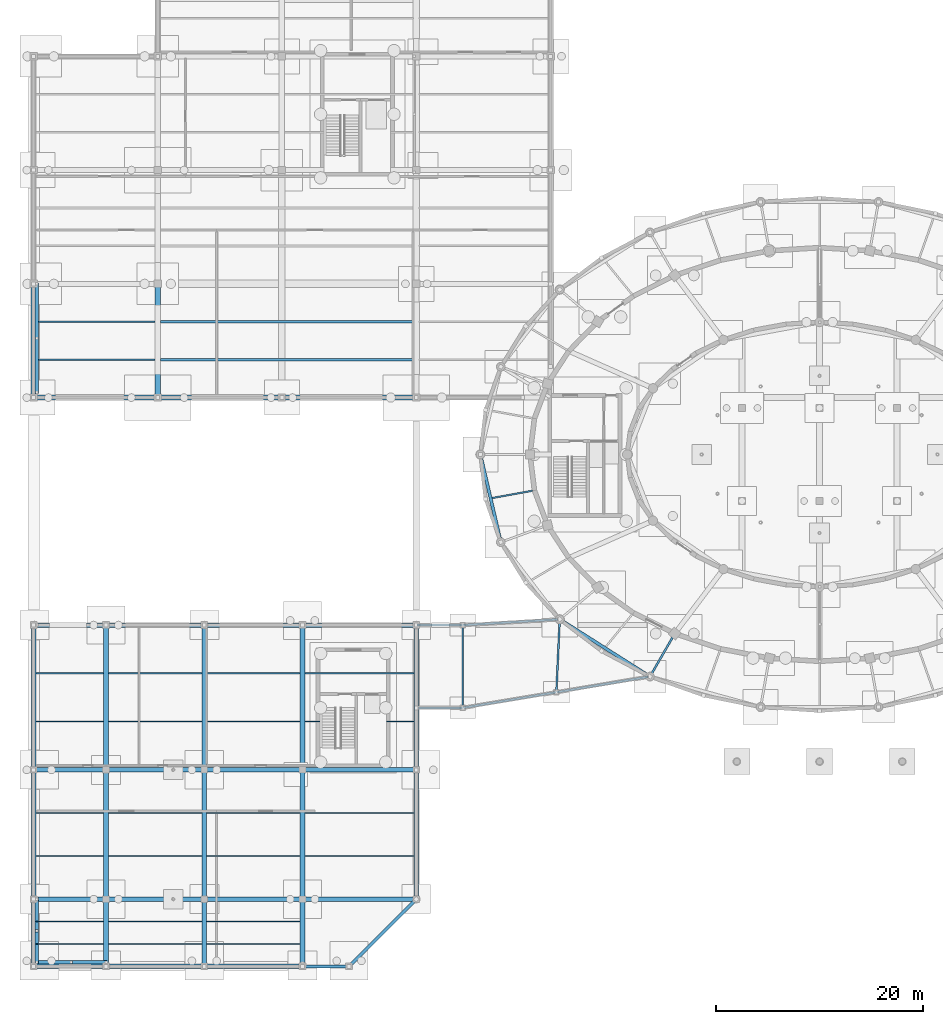
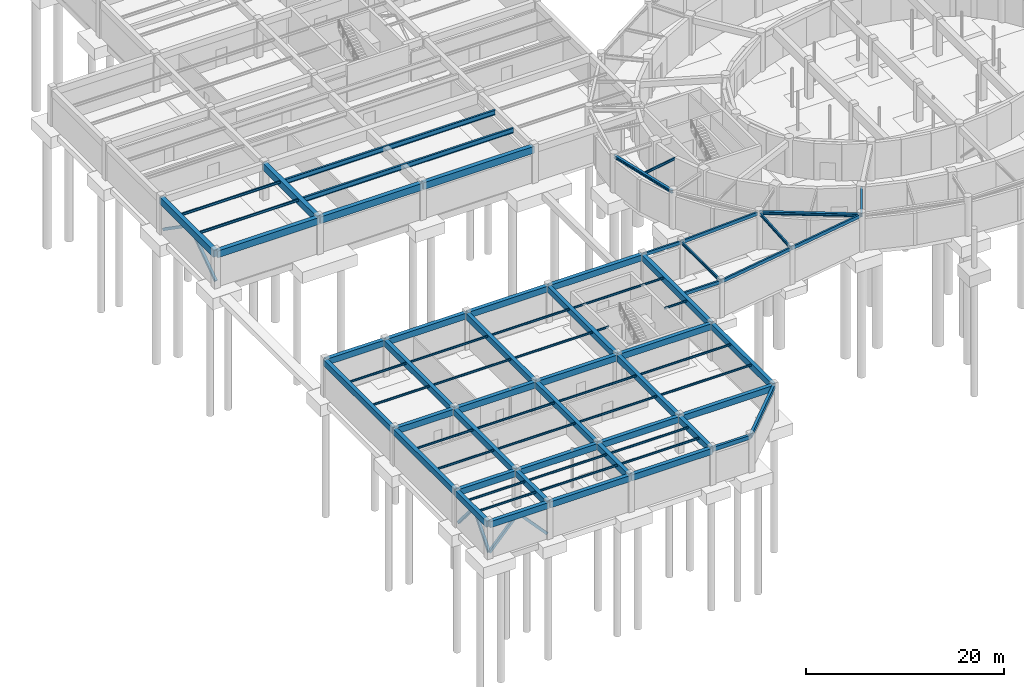
# One storey, part 12 of 42: 74 beams, 6 members.
"""IFC4 building model written with IfcOpenShell, lengths in metres."""

import ifcopenshell
import ifcopenshell.guid

model = None  # the IFC model being written
_history = None  # IfcOwnerHistory: only IFC2X3 demands one
_inside = {}  # id of a spatial element -> (the spatial element, [elements in it])
_under = {}  # id of a project, library or spatial element -> (it, [spatial elements below it])
_declared = {}  # id of a project -> (the project, [libraries it declares])
_typed = {}  # id of a type object -> (the type object, [elements of that type])
_made_of = {}  # id of a material, layer set ... -> (it, [elements and type objects made of it])


def new_model(schema):
    """Start an empty IFC model of exactly this schema.

    Asked for "IFC4X3", IfcOpenShell would pick the latest addendum, in which some entities
    have other attributes; the version numbers below select the first issue.
    IFC2X3 requires an IfcOwnerHistory on every rooted entity: one is made here for all.
    """
    global model, _history
    if schema == "IFC4X3":
        model = ifcopenshell.file(schema_version=(4, 3, 0, 0))
    else:
        model = ifcopenshell.file(schema=schema)
    _inside.clear()
    _under.clear()
    _declared.clear()
    _typed.clear()
    _made_of.clear()
    _history = None
    if model.schema == "IFC2X3":
        org = make("IfcOrganization", Name="unknown")
        user = make(
            "IfcPersonAndOrganization",
            ThePerson=make("IfcPerson", FamilyName="unknown"),
            TheOrganization=org,
        )
        app = make(
            "IfcApplication",
            ApplicationDeveloper=org,
            Version="unknown",
            ApplicationFullName="unknown",
            ApplicationIdentifier="unknown",
        )
        _history = make(
            "IfcOwnerHistory",
            OwningUser=user,
            OwningApplication=app,
            ChangeAction="ADDED",
            CreationDate=0,
        )
    return model


def make(cls, **values):
    """One entity of the class cls with the attributes given. An attribute that is None is left unset."""
    return model.create_entity(
        cls, **{name: value for name, value in values.items() if value is not None}
    )


def rooted(cls, **values):
    """An entity with a GlobalId (a new one), such as an element, a storey or a relation."""
    return make(cls, GlobalId=ifcopenshell.guid.new(), OwnerHistory=_history, **values)


def si_unit(unit_type, name, prefix=None):
    """IfcSIUnit, for example si_unit("LENGTHUNIT", "METRE", prefix="MILLI")."""
    return make("IfcSIUnit", UnitType=unit_type, Prefix=prefix, Name=name)


def assignment(units):
    """IfcUnitAssignment: the units of a project."""
    return None if units is None else make("IfcUnitAssignment", Units=units)


def point(xyz):
    """IfcCartesianPoint."""
    return None if xyz is None else make("IfcCartesianPoint", Coordinates=xyz)


def direction(xyz):
    """IfcDirection."""
    return None if xyz is None else make("IfcDirection", DirectionRatios=xyz)


def frame(location, z_axis=None, x_axis=None):
    """IfcAxis2Placement3D, a coordinate frame: its origin and axes. An axis left out is left unset."""
    return make(
        "IfcAxis2Placement3D",
        Location=point(location),
        Axis=direction(z_axis),
        RefDirection=direction(x_axis),
    )


def frame_2d(location, x_axis=None):
    """IfcAxis2Placement2D, a coordinate frame in the plane: its origin and x axis."""
    return make(
        "IfcAxis2Placement2D", Location=point(location), RefDirection=direction(x_axis)
    )


def origin():
    """The frame at (0, 0, 0) with its axes left unset."""
    return frame((0.0, 0.0, 0.0))


def origin_2d():
    """The frame at (0, 0) in the plane with its x axis left unset."""
    return frame_2d((0.0, 0.0))


def place(relative_to, where):
    """IfcLocalPlacement: puts the frame where relative to a parent placement (None: the world)."""
    return make(
        "IfcLocalPlacement", PlacementRelTo=relative_to, RelativePlacement=where
    )


def context(
    kind, dimensions, precision=None, world=None, true_north=None, identifier=None
):
    """IfcGeometricRepresentationContext, for example the 3D "Model" context."""
    return make(
        "IfcGeometricRepresentationContext",
        ContextIdentifier=identifier,
        ContextType=kind,
        CoordinateSpaceDimension=dimensions,
        Precision=precision,
        WorldCoordinateSystem=world,
        TrueNorth=true_north,
    )


def subcontext(parent, identifier, kind, view, scale=None):
    """IfcGeometricRepresentationSubContext, for example "Body" below "Model"."""
    return make(
        "IfcGeometricRepresentationSubContext",
        ContextIdentifier=identifier,
        ContextType=kind,
        ParentContext=parent,
        TargetScale=scale,
        TargetView=view,
    )


def project(units=None, contexts=None):
    """IfcProject with its units and contexts."""
    return rooted(
        "IfcProject",
        Name="project",
        RepresentationContexts=contexts,
        UnitsInContext=assignment(units),
    )


def spatial(cls, under=None, at=None, **own):
    """A site, building, storey or space (cls), placed at a placement, below another one or the project."""
    s = rooted(cls, ObjectPlacement=at, **own)
    if under is not None:
        _under.setdefault(under.id(), (under, []))[1].append(s)
    return s


def profile(cls, at=None, kind="AREA", **sizes):
    """A parametric profile (cls). Its sizes go by their IFC names, for example OverallWidth=200.0."""
    return make(cls, ProfileType=kind, Position=at, **sizes)


def rectangle(**sizes):
    """IfcRectangleProfileDef."""
    return profile("IfcRectangleProfileDef", **sizes)


def hollow_rectangle(**sizes):
    """IfcRectangleHollowProfileDef."""
    return profile("IfcRectangleHollowProfileDef", **sizes)


def i_section(**sizes):
    """IfcIShapeProfileDef."""
    return profile("IfcIShapeProfileDef", **sizes)


def extrude(swept, where, along, depth):
    """IfcExtrudedAreaSolid: the profile swept, set in the frame where, extruded along a direction by depth."""
    return make(
        "IfcExtrudedAreaSolid",
        SweptArea=swept,
        Position=where,
        ExtrudedDirection=direction(along),
        Depth=depth,
    )


def shape(context_of_items, identifier, shape_type, items):
    """IfcShapeRepresentation: the items that make up one representation, for example the "Body"."""
    return make(
        "IfcShapeRepresentation",
        ContextOfItems=context_of_items,
        RepresentationIdentifier=identifier,
        RepresentationType=shape_type,
        Items=items,
    )


def material(Name=None, Category=None):
    """IfcMaterial."""
    return make("IfcMaterial", Name=Name, Category=Category)


def material_profile(
    of_material, cross_section, Name=None, Category=None, Priority=None
):
    """IfcMaterialProfile: a cross section and its material."""
    return make(
        "IfcMaterialProfile",
        Name=Name,
        Material=of_material,
        Profile=cross_section,
        Priority=Priority,
        Category=Category,
    )


def profile_set(profiles, Name=None, composite=None):
    """IfcMaterialProfileSet."""
    return make(
        "IfcMaterialProfileSet",
        Name=Name,
        MaterialProfiles=profiles,
        CompositeProfile=composite,
    )


def made_of(thing, what):
    """Note that an element or type object is made of a material, layer set ...; save() writes the relation."""
    if what is not None:
        _made_of.setdefault(what.id(), (what, []))[1].append(thing)
    return thing


def type_object(cls, material=None, **own):
    """A type object (cls), such as IfcWallType, which elements share."""
    return made_of(rooted(cls, **own), material)


def element(
    cls,
    number,
    at=None,
    inside=None,
    cuts=None,
    type_object=None,
    material=None,
    context=None,
    identifier="Body",
    shape_type=None,
    held_by="IfcProductDefinitionShape",
    body=None,
    shapes=None,
    **own,
):
    """One element of the class cls, such as IfcWall. Its Tag is "e" and its number.

    at: its placement. inside: the storey or other place that contains it. cuts: it is an
    opening in that element (IfcRelVoidsElement). A single representation is given by context,
    identifier, shape_type and body (its items); several are given by shapes. held_by: the class
    of the entity that holds the representations. save() writes the other relations.
    """
    e = rooted(cls, Tag="e%d" % number, ObjectPlacement=at, **own)
    if body is not None:
        shapes = [shape(context, identifier, shape_type, body)]
    if shapes is not None:
        e.Representation = make(held_by, Representations=shapes)
    if inside is not None:
        _inside.setdefault(inside.id(), (inside, []))[1].append(e)
    if cuts is not None:
        rooted(
            "IfcRelVoidsElement", RelatingBuildingElement=cuts, RelatedOpeningElement=e
        )
    if type_object is not None:
        _typed.setdefault(type_object.id(), (type_object, []))[1].append(e)
    return made_of(e, material)


def aggregate(whole, parts):
    """IfcRelAggregates: a whole, such as a stair, and the parts it consists of."""
    return rooted("IfcRelAggregates", RelatingObject=whole, RelatedObjects=parts)


def save(model, path):
    """Write the relations noted so far, then the file.

    IfcRelAggregates (storeys below a building ...), IfcRelContainedInSpatialStructure (elements
    in a storey), IfcRelDefinesByType, IfcRelAssociatesMaterial and IfcRelDeclares: one each for
    every whole, place, type object, material and project.
    """
    for whole, parts in _under.values():
        aggregate(whole, parts)
    for where, things in _inside.values():
        rooted(
            "IfcRelContainedInSpatialStructure",
            RelatedElements=things,
            RelatingStructure=where,
        )
    for kind, things in _typed.values():
        rooted("IfcRelDefinesByType", RelatedObjects=things, RelatingType=kind)
    for what, things in _made_of.values():
        rooted("IfcRelAssociatesMaterial", RelatedObjects=things, RelatingMaterial=what)
    for by, libraries in _declared.values():
        rooted("IfcRelDeclares", RelatingContext=by, RelatedDefinitions=libraries)
    model.write(path)


model = new_model("IFC4")

# Units and contexts
model_context = context("Model", 3, precision=1e-05, world=origin(), true_north=direction((0.0, 1.0)))
body_context = subcontext(model_context, "Body", "Model", "MODEL_VIEW")
ifc_project = project(units=[si_unit("LENGTHUNIT", "METRE"), si_unit("AREAUNIT", "SQUARE_METRE"), si_unit("VOLUMEUNIT", "CUBIC_METRE"), si_unit("PLANEANGLEUNIT", "RADIAN"), si_unit("MASSUNIT", "GRAM", prefix="KILO")], contexts=[model_context])

# Site, building, storey
site_placement = place(None, origin())
site = spatial("IfcSite", under=ifc_project, at=site_placement, CompositionType="ELEMENT")
building_placement = place(site_placement, origin())
building = spatial("IfcBuilding", under=site, at=building_placement, Name="Tarnveldt Headland Concert Hall", CompositionType="ELEMENT")
storey_placement = place(building_placement, frame((0.0, 0.0, -4.800048828125)))
storey = spatial("IfcBuildingStorey", under=building, at=storey_placement, Name="B1", CompositionType="ELEMENT", Elevation=-4.800048828125)

# Members
ifc_material_1 = material(Name="Steel S355", Category="steel")
ifc_material_profile_1 = material_profile(ifc_material_1, hollow_rectangle(XDim=0.300048828125, YDim=0.300048828125, WallThickness=0.01611328125, at=origin_2d()), Name="SHS 300x300x16", Category="steel")
ifc_profile_set_1 = profile_set([ifc_material_profile_1], Name="Steel S355")
member_type = type_object("IfcMemberType", Name="BR-SHS300", PredefinedType="BRACE", material=ifc_profile_set_1)
member_1_placement = place(storey_placement, frame((7.800048828125, 5.39990234375, 0.300048828125), z_axis=(0.676175277637, 0.0, 0.736740791536), x_axis=(0.0, 1.0, 0.0)))
element("IfcMember", 1, at=member_1_placement, inside=storey, type_object=member_type, Name="Lateral chevron brace B1-1A", PredefinedType="BRACE", context=body_context, shape_type="SweptSolid", body=[
    extrude(hollow_rectangle(XDim=0.300048828125, YDim=0.300048828125, WallThickness=0.01611328125, at=origin_2d()), origin(), (0.0, 0.0, 1.0), 4.9541015625),
])
member_2_placement = place(storey_placement, frame((14.5, 5.39990234375, 0.300048828125), z_axis=(-0.676202025017, 0.0, 0.736716242093), x_axis=(0.0, -1.0, 0.0)))
element("IfcMember", 2, at=member_2_placement, inside=storey, type_object=member_type, Name="Lateral chevron brace B1-1B", PredefinedType="BRACE", context=body_context, shape_type="SweptSolid", body=[
    extrude(hollow_rectangle(XDim=0.300048828125, YDim=0.300048828125, WallThickness=0.01611328125, at=origin_2d()), origin(), (0.0, 0.0, 1.0), 4.954345703125),
])
for number, where, z_axis, x_axis, name in (
    (3, (7.800048828125, 5.39990234375, 0.300048828125), (0.0, 0.641233910836, 0.767345470824), (-1.0, 0.0, 0.0), "Lateral chevron brace B1-2A"),
    (4, (7.800048828125, 11.5, 0.300048828125), (0.0, -0.641233910836, 0.767345470824), (1.0, 0.0, 0.0), "Lateral chevron brace B1-2B"),
):
    element("IfcMember", number, at=place(storey_placement, frame(where, z_axis=z_axis, x_axis=x_axis)), inside=storey, type_object=member_type, Name=name, PredefinedType="BRACE", context=body_context, shape_type="SweptSolid", body=[
        extrude(hollow_rectangle(XDim=0.300048828125, YDim=0.300048828125, WallThickness=0.01611328125, at=origin_2d()), origin(), (0.0, 0.0, 1.0), 4.756591796875),
    ])
for number, where, z_axis, x_axis, name in (
    (5, (7.800048828125, 60.5, 0.300048828125), (0.0, 0.821071709705, 0.570825058598), (-1.0, 0.0, 0.0), "Lateral chevron brace B1-3A"),
    (6, (7.800048828125, 71.0, 0.300048828125), (0.0, -0.821071709705, 0.570825058598), (1.0, 0.0, 0.0), "Lateral chevron brace B1-3B"),
):
    element("IfcMember", number, at=place(storey_placement, frame(where, z_axis=z_axis, x_axis=x_axis)), inside=storey, type_object=member_type, Name=name, PredefinedType="BRACE", context=body_context, shape_type="SweptSolid", body=[
        extrude(hollow_rectangle(XDim=0.300048828125, YDim=0.300048828125, WallThickness=0.01611328125, at=origin_2d()), origin(), (0.0, 0.0, 1.0), 6.39404296875),
    ])

# Beams
ifc_material_2 = material(Name="Concrete C40/50", Category="concrete")
ifc_material_profile_2 = material_profile(ifc_material_2, rectangle(XDim=0.449951171875, YDim=0.75, at=origin_2d()), Name="RC 450x750", Category="concrete")
ifc_profile_set_2 = profile_set([ifc_material_profile_2], Name="Concrete C40/50")
beam_type_1 = type_object("IfcBeamType", Name="CB-450x750", PredefinedType="BEAM", material=ifc_profile_set_2)
beam_1_placement = place(storey_placement, frame((7.550048828125, 5.0, 4.125), z_axis=(1.0, 0.0, 0.0), x_axis=(0.0, 1.0, 0.0)))
element("IfcBeam", 7, at=beam_1_placement, inside=storey, type_object=beam_type_1, Name="Framing beam B1-210", PredefinedType="BEAM", context=body_context, shape_type="SweptSolid", body=[
    extrude(rectangle(XDim=0.449951171875, YDim=0.75, at=origin_2d()), origin(), (0.0, 0.0, 1.0), 6.89990234375),
])
for number, where, z_axis, x_axis, name in (
    (8, (14.550048828125, 5.0, 4.125), (1.0, 0.0, 0.0), (0.0, 1.0, 0.0), "Framing beam B1-211"),
    (9, (24.050048828125, 5.0, 4.125), (1.0, 0.0, 0.0), (0.0, 1.0, 0.0), "Framing beam B1-212"),
):
    element("IfcBeam", number, at=place(storey_placement, frame(where, z_axis=z_axis, x_axis=x_axis)), inside=storey, type_object=beam_type_1, Name=name, PredefinedType="BEAM", context=body_context, shape_type="SweptSolid", body=[
        extrude(rectangle(XDim=0.449951171875, YDim=0.75, at=origin_2d()), origin(), (0.0, 0.0, 1.0), 9.39990234375),
    ])
beam_2_placement = place(storey_placement, frame((7.550048828125, 11.5, 4.125), z_axis=(1.0, 0.0, 0.0), x_axis=(0.0, 1.0, 0.0)))
element("IfcBeam", 10, at=beam_2_placement, inside=storey, type_object=beam_type_1, Name="Framing beam B1-215", PredefinedType="BEAM", context=body_context, shape_type="SweptSolid", body=[
    extrude(rectangle(XDim=0.449951171875, YDim=0.75, at=origin_2d()), origin(), (0.0, 0.0, 1.0), 6.89990234375),
])
for number, where, z_axis, x_axis, name in (
    (11, (14.550048828125, 11.5, 4.125), (1.0, 0.0, 0.0), (0.0, 1.0, 0.0), "Framing beam B1-216"),
    (12, (24.050048828125, 11.5, 4.125), (1.0, 0.0, 0.0), (0.0, 1.0, 0.0), "Framing beam B1-217"),
):
    element("IfcBeam", number, at=place(storey_placement, frame(where, z_axis=z_axis, x_axis=x_axis)), inside=storey, type_object=beam_type_1, Name=name, PredefinedType="BEAM", context=body_context, shape_type="SweptSolid", body=[
        extrude(rectangle(XDim=0.449951171875, YDim=0.75, at=origin_2d()), origin(), (0.0, 0.0, 1.0), 9.39990234375),
    ])
beam_3_placement = place(storey_placement, frame((33.550048828125, 11.5, 4.125), z_axis=(1.0, 0.0, 0.0), x_axis=(0.0, 1.0, 0.0)))
element("IfcBeam", 13, at=beam_3_placement, inside=storey, type_object=beam_type_1, Name="Framing beam B1-218", PredefinedType="BEAM", context=body_context, shape_type="SweptSolid", body=[
    extrude(rectangle(XDim=0.449951171875, YDim=0.75, at=origin_2d()), origin(), (0.0, 0.0, 1.0), 10.89990234375),
])
beam_4_placement = place(storey_placement, frame((7.550048828125, 24.0, 4.125), z_axis=(1.0, 0.0, 0.0), x_axis=(0.0, 1.0, 0.0)))
element("IfcBeam", 14, at=beam_4_placement, inside=storey, type_object=beam_type_1, Name="Framing beam B1-219", PredefinedType="BEAM", context=body_context, shape_type="SweptSolid", body=[
    extrude(rectangle(XDim=0.449951171875, YDim=0.75, at=origin_2d()), origin(), (0.0, 0.0, 1.0), 6.89990234375),
])
for number, where, z_axis, x_axis, name in (
    (15, (14.550048828125, 24.0, 4.125), (1.0, 0.0, 0.0), (0.0, 1.0, 0.0), "Framing beam B1-220"),
    (16, (24.050048828125, 24.0, 4.125), (1.0, 0.0, 0.0), (0.0, 1.0, 0.0), "Framing beam B1-221"),
):
    element("IfcBeam", number, at=place(storey_placement, frame(where, z_axis=z_axis, x_axis=x_axis)), inside=storey, type_object=beam_type_1, Name=name, PredefinedType="BEAM", context=body_context, shape_type="SweptSolid", body=[
        extrude(rectangle(XDim=0.449951171875, YDim=0.75, at=origin_2d()), origin(), (0.0, 0.0, 1.0), 9.39990234375),
    ])
beam_5_placement = place(storey_placement, frame((33.550048828125, 24.0, 4.125), z_axis=(1.0, 0.0, 0.0), x_axis=(0.0, 1.0, 0.0)))
element("IfcBeam", 17, at=beam_5_placement, inside=storey, type_object=beam_type_1, Name="Framing beam B1-222", PredefinedType="BEAM", context=body_context, shape_type="SweptSolid", body=[
    extrude(rectangle(XDim=0.449951171875, YDim=0.75, at=origin_2d()), origin(), (0.0, 0.0, 1.0), 10.89990234375),
])
beam_6_placement = place(storey_placement, frame((7.550048828125, 38.0, 4.125), z_axis=(1.0, 0.0, 0.0), x_axis=(0.0, 1.0, 0.0)))
element("IfcBeam", 18, at=beam_6_placement, inside=storey, type_object=beam_type_1, Name="Framing beam B1-223", PredefinedType="BEAM", context=body_context, shape_type="SweptSolid", body=[
    extrude(rectangle(XDim=0.449951171875, YDim=0.75, at=origin_2d()), origin(), (0.0, 0.0, 1.0), 6.89990234375),
])
for number, where, z_axis, x_axis, name in (
    (19, (14.550048828125, 38.0, 4.125), (1.0, 0.0, 0.0), (0.0, 1.0, 0.0), "Framing beam B1-224"),
    (20, (24.050048828125, 38.0, 4.125), (1.0, 0.0, 0.0), (0.0, 1.0, 0.0), "Framing beam B1-225"),
):
    element("IfcBeam", number, at=place(storey_placement, frame(where, z_axis=z_axis, x_axis=x_axis)), inside=storey, type_object=beam_type_1, Name=name, PredefinedType="BEAM", context=body_context, shape_type="SweptSolid", body=[
        extrude(rectangle(XDim=0.449951171875, YDim=0.75, at=origin_2d()), origin(), (0.0, 0.0, 1.0), 9.39990234375),
    ])
beam_7_placement = place(storey_placement, frame((33.550048828125, 38.0, 4.125), z_axis=(1.0, 0.0, 0.0), x_axis=(0.0, 1.0, 0.0)))
element("IfcBeam", 21, at=beam_7_placement, inside=storey, type_object=beam_type_1, Name="Framing beam B1-226", PredefinedType="BEAM", context=body_context, shape_type="SweptSolid", body=[
    extrude(rectangle(XDim=0.449951171875, YDim=0.75, at=origin_2d()), origin(), (0.0, 0.0, 1.0), 10.89990234375),
])
beam_8_placement = place(storey_placement, frame((7.5, 5.050048828125, 4.125), z_axis=(0.0, 1.0, 0.0), x_axis=(-1.0, 0.0, 0.0)))
element("IfcBeam", 22, at=beam_8_placement, inside=storey, type_object=beam_type_1, Name="Framing beam B1-227", PredefinedType="BEAM", context=body_context, shape_type="SweptSolid", body=[
    extrude(rectangle(XDim=0.449951171875, YDim=0.75, at=origin_2d()), origin(), (0.0, 0.0, 1.0), 6.39990234375),
])
beam_9_placement = place(storey_placement, frame((7.5, 11.550048828125, 4.125), z_axis=(0.0, 1.0, 0.0), x_axis=(-1.0, 0.0, 0.0)))
element("IfcBeam", 23, at=beam_9_placement, inside=storey, type_object=beam_type_1, Name="Framing beam B1-230", PredefinedType="BEAM", context=body_context, shape_type="SweptSolid", body=[
    extrude(rectangle(XDim=0.449951171875, YDim=0.75, at=origin_2d()), origin(), (0.0, 0.0, 1.0), 12.39990234375),
])
beam_10_placement = place(storey_placement, frame((7.5, 24.050048828125, 4.125), z_axis=(0.0, 1.0, 0.0), x_axis=(-1.0, 0.0, 0.0)))
element("IfcBeam", 24, at=beam_10_placement, inside=storey, type_object=beam_type_1, Name="Framing beam B1-233", PredefinedType="BEAM", context=body_context, shape_type="SweptSolid", body=[
    extrude(rectangle(XDim=0.449951171875, YDim=0.75, at=origin_2d()), origin(), (0.0, 0.0, 1.0), 13.89990234375),
])
beam_11_placement = place(storey_placement, frame((14.5, 5.050048828125, 4.125), z_axis=(0.0, 1.0, 0.0), x_axis=(-1.0, 0.0, 0.0)))
element("IfcBeam", 25, at=beam_11_placement, inside=storey, type_object=beam_type_1, Name="Framing beam B1-236", PredefinedType="BEAM", context=body_context, shape_type="SweptSolid", body=[
    extrude(rectangle(XDim=0.449951171875, YDim=0.75, at=origin_2d()), origin(), (0.0, 0.0, 1.0), 6.39990234375),
])
beam_12_placement = place(storey_placement, frame((14.5, 11.550048828125, 4.125), z_axis=(0.0, 1.0, 0.0), x_axis=(-1.0, 0.0, 0.0)))
element("IfcBeam", 26, at=beam_12_placement, inside=storey, type_object=beam_type_1, Name="Framing beam B1-239", PredefinedType="BEAM", context=body_context, shape_type="SweptSolid", body=[
    extrude(rectangle(XDim=0.449951171875, YDim=0.75, at=origin_2d()), origin(), (0.0, 0.0, 1.0), 12.39990234375),
])
beam_13_placement = place(storey_placement, frame((14.5, 24.050048828125, 4.125), z_axis=(0.0, 1.0, 0.0), x_axis=(-1.0, 0.0, 0.0)))
element("IfcBeam", 27, at=beam_13_placement, inside=storey, type_object=beam_type_1, Name="Framing beam B1-242", PredefinedType="BEAM", context=body_context, shape_type="SweptSolid", body=[
    extrude(rectangle(XDim=0.449951171875, YDim=0.75, at=origin_2d()), origin(), (0.0, 0.0, 1.0), 13.89990234375),
])
beam_14_placement = place(storey_placement, frame((24.0, 5.050048828125, 4.125), z_axis=(0.0, 1.0, 0.0), x_axis=(-1.0, 0.0, 0.0)))
element("IfcBeam", 28, at=beam_14_placement, inside=storey, type_object=beam_type_1, Name="Framing beam B1-245", PredefinedType="BEAM", context=body_context, shape_type="SweptSolid", body=[
    extrude(rectangle(XDim=0.449951171875, YDim=0.75, at=origin_2d()), origin(), (0.0, 0.0, 1.0), 6.39990234375),
])
beam_15_placement = place(storey_placement, frame((24.0, 11.550048828125, 4.125), z_axis=(0.0, 1.0, 0.0), x_axis=(-1.0, 0.0, 0.0)))
element("IfcBeam", 29, at=beam_15_placement, inside=storey, type_object=beam_type_1, Name="Framing beam B1-248", PredefinedType="BEAM", context=body_context, shape_type="SweptSolid", body=[
    extrude(rectangle(XDim=0.449951171875, YDim=0.75, at=origin_2d()), origin(), (0.0, 0.0, 1.0), 12.39990234375),
])
beam_16_placement = place(storey_placement, frame((24.0, 24.050048828125, 4.125), z_axis=(0.0, 1.0, 0.0), x_axis=(-1.0, 0.0, 0.0)))
element("IfcBeam", 30, at=beam_16_placement, inside=storey, type_object=beam_type_1, Name="Framing beam B1-251", PredefinedType="BEAM", context=body_context, shape_type="SweptSolid", body=[
    extrude(rectangle(XDim=0.449951171875, YDim=0.75, at=origin_2d()), origin(), (0.0, 0.0, 1.0), 13.89990234375),
])
beam_17_placement = place(storey_placement, frame((33.5, 5.050048828125, 4.125), z_axis=(0.0, 1.0, 0.0), x_axis=(-1.0, 0.0, 0.0)))
element("IfcBeam", 31, at=beam_17_placement, inside=storey, type_object=beam_type_1, Name="Framing beam B1-254", PredefinedType="BEAM", context=body_context, shape_type="SweptSolid", body=[
    extrude(rectangle(XDim=0.449951171875, YDim=0.75, at=origin_2d()), origin(), (0.0, 0.0, 1.0), 6.39990234375),
])
beam_18_placement = place(storey_placement, frame((33.5, 11.550048828125, 4.125), z_axis=(0.0, 1.0, 0.0), x_axis=(-1.0, 0.0, 0.0)))
element("IfcBeam", 32, at=beam_18_placement, inside=storey, type_object=beam_type_1, Name="Framing beam B1-255", PredefinedType="BEAM", context=body_context, shape_type="SweptSolid", body=[
    extrude(rectangle(XDim=0.449951171875, YDim=0.75, at=origin_2d()), origin(), (0.0, 0.0, 1.0), 12.39990234375),
])
beam_19_placement = place(storey_placement, frame((33.5, 24.050048828125, 4.125), z_axis=(0.0, 1.0, 0.0), x_axis=(-1.0, 0.0, 0.0)))
element("IfcBeam", 33, at=beam_19_placement, inside=storey, type_object=beam_type_1, Name="Framing beam B1-258", PredefinedType="BEAM", context=body_context, shape_type="SweptSolid", body=[
    extrude(rectangle(XDim=0.449951171875, YDim=0.75, at=origin_2d()), origin(), (0.0, 0.0, 1.0), 13.89990234375),
])
beam_20_placement = place(storey_placement, frame((44.5, 11.550048828125, 4.125), z_axis=(0.0, 1.0, 0.0), x_axis=(-1.0, 0.0, 0.0)))
element("IfcBeam", 34, at=beam_20_placement, inside=storey, type_object=beam_type_1, Name="Framing beam B1-262", PredefinedType="BEAM", context=body_context, shape_type="SweptSolid", body=[
    extrude(rectangle(XDim=0.449951171875, YDim=0.75, at=origin_2d()), origin(), (0.0, 0.0, 1.0), 12.39990234375),
])
beam_21_placement = place(storey_placement, frame((44.5, 24.050048828125, 4.125), z_axis=(0.0, 1.0, 0.0), x_axis=(-1.0, 0.0, 0.0)))
element("IfcBeam", 35, at=beam_21_placement, inside=storey, type_object=beam_type_1, Name="Framing beam B1-263", PredefinedType="BEAM", context=body_context, shape_type="SweptSolid", body=[
    extrude(rectangle(XDim=0.449951171875, YDim=0.75, at=origin_2d()), origin(), (0.0, 0.0, 1.0), 13.89990234375),
])
ifc_material_profile_3 = material_profile(ifc_material_2, rectangle(XDim=0.5, YDim=0.85009765625, at=origin_2d()), Name="RC 500x850", Category="concrete")
ifc_profile_set_3 = profile_set([ifc_material_profile_3], Name="Concrete C40/50")
beam_type_2 = type_object("IfcBeamType", Name="CB-500x850", PredefinedType="BEAM", material=ifc_profile_set_3)
for number, where, z_axis, x_axis, name in (
    (36, (7.56005859375, 60.0, 4.074951171875), (1.0, 0.0, 0.0), (0.0, 1.0, 0.0), "Framing beam B1-269"),
    (37, (19.56005859375, 60.0, 4.074951171875), (1.0, 0.0, 0.0), (0.0, 1.0, 0.0), "Framing beam B1-270"),
):
    element("IfcBeam", number, at=place(storey_placement, frame(where, z_axis=z_axis, x_axis=x_axis)), inside=storey, type_object=beam_type_2, Name=name, PredefinedType="BEAM", context=body_context, shape_type="SweptSolid", body=[
        extrude(rectangle(XDim=0.5, YDim=0.85009765625, at=origin_2d()), origin(), (0.0, 0.0, 1.0), 11.8798828125),
    ])
beam_22_placement = place(storey_placement, frame((31.56005859375, 60.0, 4.074951171875), z_axis=(1.0, 0.0, 0.0), x_axis=(0.0, 1.0, 0.0)))
element("IfcBeam", 38, at=beam_22_placement, inside=storey, type_object=beam_type_2, Name="Framing beam B1-271", PredefinedType="BEAM", context=body_context, shape_type="SweptSolid", body=[
    extrude(rectangle(XDim=0.5, YDim=0.85009765625, at=origin_2d()), origin(), (0.0, 0.0, 1.0), 12.8798828125),
])
for number, where, z_axis, x_axis, name in (
    (39, (7.5, 60.06005859375, 4.074951171875), (0.0, 1.0, 0.0), (-1.0, 0.0, 0.0), "Framing beam B1-291"),
    (40, (19.5, 60.06005859375, 4.074951171875), (0.0, 1.0, 0.0), (-1.0, 0.0, 0.0), "Framing beam B1-300"),
):
    element("IfcBeam", number, at=place(storey_placement, frame(where, z_axis=z_axis, x_axis=x_axis)), inside=storey, type_object=beam_type_2, Name=name, PredefinedType="BEAM", context=body_context, shape_type="SweptSolid", body=[
        extrude(rectangle(XDim=0.5, YDim=0.85009765625, at=origin_2d()), origin(), (0.0, 0.0, 1.0), 10.8798828125),
    ])
ifc_material_profile_4 = material_profile(ifc_material_1, i_section(OverallWidth=0.300048828125, OverallDepth=0.35009765625, WebThickness=0.010009765625, FlangeThickness=0.017578125, FilletRadius=0.027099609375, at=origin_2d()), Name="HEA360", Category="steel")
ifc_profile_set_4 = profile_set([ifc_material_profile_4], Name="Steel S355")
beam_type_3 = type_object("IfcBeamType", Name="SB-HEA360", PredefinedType="SPANDREL", material=ifc_profile_set_4)
beam_23_placement = place(storey_placement, frame((50.713623046875, 54.441650390625, 4.324951171875), z_axis=(0.227123591729, -0.973865942561, 0.0), x_axis=(0.973865942561, 0.227123591729, 0.0)))
element("IfcBeam", 41, at=beam_23_placement, inside=storey, type_object=beam_type_3, Name="Framing beam B1-28", PredefinedType="SPANDREL", context=body_context, shape_type="SweptSolid", body=[
    extrude(i_section(OverallWidth=0.300048828125, OverallDepth=0.35009765625, WebThickness=0.010009765625, FlangeThickness=0.017578125, FilletRadius=0.027099609375, at=origin_2d()), origin(), (0.0, 0.0, 1.0), 8.589599609375),
])
beam_24_placement = place(storey_placement, frame((58.42431640625, 38.52685546875, 4.324951171875), z_axis=(0.844390967344, -0.535727444012, 0.0), x_axis=(0.535727444012, 0.844390967344, 0.0)))
element("IfcBeam", 42, at=beam_24_placement, inside=storey, type_object=beam_type_3, Name="Framing beam B1-34", PredefinedType="SPANDREL", context=body_context, shape_type="SweptSolid", body=[
    extrude(i_section(OverallWidth=0.300048828125, OverallDepth=0.35009765625, WebThickness=0.010009765625, FlangeThickness=0.017578125, FilletRadius=0.027099609375, at=origin_2d()), origin(), (0.0, 0.0, 1.0), 10.21435546875),
])
ifc_material_profile_5 = material_profile(ifc_material_1, i_section(OverallWidth=0.1201171875, OverallDepth=0.239990234375, WebThickness=0.006103515625, FlangeThickness=0.009765625, FilletRadius=0.014892578125, at=origin_2d()), Name="IPE240", Category="steel")
ifc_profile_set_5 = profile_set([ifc_material_profile_5], Name="Steel S355")
beam_type_4 = type_object("IfcBeamType", Name="SB-IPE240", PredefinedType="JOIST", material=ifc_profile_set_5)
for number, where, z_axis, x_axis, name in (
    (43, (7.72509765625, 7.1669921875, 4.380126953125), (1.0, 0.0, 0.0), (0.0, 1.0, 0.0), "Framing beam B1-228"),
    (44, (7.72509765625, 9.3330078125, 4.380126953125), (1.0, 0.0, 0.0), (0.0, 1.0, 0.0), "Framing beam B1-229"),
    (45, (7.72509765625, 15.6669921875, 4.380126953125), (1.0, 0.0, 0.0), (0.0, 1.0, 0.0), "Framing beam B1-231"),
    (46, (7.72509765625, 19.8330078125, 4.380126953125), (1.0, 0.0, 0.0), (0.0, 1.0, 0.0), "Framing beam B1-232"),
    (47, (7.72509765625, 28.6669921875, 4.380126953125), (1.0, 0.0, 0.0), (0.0, 1.0, 0.0), "Framing beam B1-234"),
    (48, (7.72509765625, 33.3330078125, 4.380126953125), (1.0, 0.0, 0.0), (0.0, 1.0, 0.0), "Framing beam B1-235"),
):
    element("IfcBeam", number, at=place(storey_placement, frame(where, z_axis=z_axis, x_axis=x_axis)), inside=storey, type_object=beam_type_4, Name=name, PredefinedType="JOIST", context=body_context, shape_type="SweptSolid", body=[
        extrude(i_section(OverallWidth=0.1201171875, OverallDepth=0.239990234375, WebThickness=0.006103515625, FlangeThickness=0.009765625, FilletRadius=0.014892578125, at=origin_2d()), origin(), (0.0, 0.0, 1.0), 6.5498046875),
    ])
for number, where, z_axis, x_axis, name in (
    (49, (14.72509765625, 7.1669921875, 4.380126953125), (1.0, 0.0, 0.0), (0.0, 1.0, 0.0), "Framing beam B1-237"),
    (50, (14.72509765625, 9.3330078125, 4.380126953125), (1.0, 0.0, 0.0), (0.0, 1.0, 0.0), "Framing beam B1-238"),
    (51, (14.72509765625, 15.6669921875, 4.380126953125), (1.0, 0.0, 0.0), (0.0, 1.0, 0.0), "Framing beam B1-240"),
    (52, (14.72509765625, 19.8330078125, 4.380126953125), (1.0, 0.0, 0.0), (0.0, 1.0, 0.0), "Framing beam B1-241"),
    (53, (14.72509765625, 28.6669921875, 4.380126953125), (1.0, 0.0, 0.0), (0.0, 1.0, 0.0), "Framing beam B1-243"),
    (54, (14.72509765625, 33.3330078125, 4.380126953125), (1.0, 0.0, 0.0), (0.0, 1.0, 0.0), "Framing beam B1-244"),
    (55, (24.22509765625, 7.1669921875, 4.380126953125), (1.0, 0.0, 0.0), (0.0, 1.0, 0.0), "Framing beam B1-246"),
    (56, (24.22509765625, 9.3330078125, 4.380126953125), (1.0, 0.0, 0.0), (0.0, 1.0, 0.0), "Framing beam B1-247"),
    (57, (24.22509765625, 15.6669921875, 4.380126953125), (1.0, 0.0, 0.0), (0.0, 1.0, 0.0), "Framing beam B1-249"),
    (58, (24.22509765625, 19.8330078125, 4.380126953125), (1.0, 0.0, 0.0), (0.0, 1.0, 0.0), "Framing beam B1-250"),
    (59, (24.22509765625, 28.6669921875, 4.380126953125), (1.0, 0.0, 0.0), (0.0, 1.0, 0.0), "Framing beam B1-252"),
    (60, (24.22509765625, 33.3330078125, 4.380126953125), (1.0, 0.0, 0.0), (0.0, 1.0, 0.0), "Framing beam B1-253"),
):
    element("IfcBeam", number, at=place(storey_placement, frame(where, z_axis=z_axis, x_axis=x_axis)), inside=storey, type_object=beam_type_4, Name=name, PredefinedType="JOIST", context=body_context, shape_type="SweptSolid", body=[
        extrude(i_section(OverallWidth=0.1201171875, OverallDepth=0.239990234375, WebThickness=0.006103515625, FlangeThickness=0.009765625, FilletRadius=0.014892578125, at=origin_2d()), origin(), (0.0, 0.0, 1.0), 9.0498046875),
    ])
for number, where, z_axis, x_axis, name in (
    (61, (33.72509765625, 15.6669921875, 4.380126953125), (1.0, 0.0, 0.0), (0.0, 1.0, 0.0), "Framing beam B1-256"),
    (62, (33.72509765625, 19.8330078125, 4.380126953125), (1.0, 0.0, 0.0), (0.0, 1.0, 0.0), "Framing beam B1-257"),
):
    element("IfcBeam", number, at=place(storey_placement, frame(where, z_axis=z_axis, x_axis=x_axis)), inside=storey, type_object=beam_type_4, Name=name, PredefinedType="JOIST", context=body_context, shape_type="SweptSolid", body=[
        extrude(i_section(OverallWidth=0.1201171875, OverallDepth=0.239990234375, WebThickness=0.006103515625, FlangeThickness=0.009765625, FilletRadius=0.014892578125, at=origin_2d()), origin(), (0.0, 0.0, 1.0), 10.5498046875),
    ])
beam_25_placement = place(storey_placement, frame((33.72509765625, 28.6669921875, 4.380126953125), z_axis=(1.0, 0.0, 0.0), x_axis=(0.0, 1.0, 0.0)))
element("IfcBeam", 63, at=beam_25_placement, inside=storey, type_object=beam_type_4, Name="Framing beam B1-259", PredefinedType="JOIST", context=body_context, shape_type="SweptSolid", body=[
    extrude(i_section(OverallWidth=0.1201171875, OverallDepth=0.239990234375, WebThickness=0.006103515625, FlangeThickness=0.009765625, FilletRadius=0.014892578125, at=origin_2d()), origin(), (0.0, 0.0, 1.0), 1.454833984375),
])
beam_26_placement = place(storey_placement, frame((41.6201171875, 28.6669921875, 4.380126953125), z_axis=(1.0, 0.0, 0.0), x_axis=(0.0, 1.0, 0.0)))
element("IfcBeam", 64, at=beam_26_placement, inside=storey, type_object=beam_type_4, Name="Framing beam B1-260", PredefinedType="JOIST", context=body_context, shape_type="SweptSolid", body=[
    extrude(i_section(OverallWidth=0.1201171875, OverallDepth=0.239990234375, WebThickness=0.006103515625, FlangeThickness=0.009765625, FilletRadius=0.014892578125, at=origin_2d()), origin(), (0.0, 0.0, 1.0), 2.65478515625),
])
beam_27_placement = place(storey_placement, frame((33.72509765625, 33.3330078125, 4.380126953125), z_axis=(1.0, 0.0, 0.0), x_axis=(0.0, 1.0, 0.0)))
element("IfcBeam", 65, at=beam_27_placement, inside=storey, type_object=beam_type_4, Name="Framing beam B1-261", PredefinedType="JOIST", context=body_context, shape_type="SweptSolid", body=[
    extrude(i_section(OverallWidth=0.1201171875, OverallDepth=0.239990234375, WebThickness=0.006103515625, FlangeThickness=0.009765625, FilletRadius=0.014892578125, at=origin_2d()), origin(), (0.0, 0.0, 1.0), 10.5498046875),
])
ifc_material_profile_6 = material_profile(ifc_material_1, i_section(OverallWidth=0.14990234375, OverallDepth=0.300048828125, WebThickness=0.007080078125, FlangeThickness=0.0107421875, FilletRadius=0.014892578125, at=origin_2d()), Name="IPE300", Category="steel")
ifc_profile_set_6 = profile_set([ifc_material_profile_6], Name="Steel S355")
beam_type_5 = type_object("IfcBeamType", Name="SB-IPE300", PredefinedType="JOIST", material=ifc_profile_set_6)
beam_28_placement = place(storey_placement, frame((55.753173828125, 50.995849609375, 4.35009765625), z_axis=(-0.983953220183, -0.178426624954, 0.0), x_axis=(0.178426624954, -0.983953220183, 0.0)))
element("IfcBeam", 66, at=beam_28_placement, inside=storey, type_object=beam_type_5, Name="Framing beam B1-30", PredefinedType="JOIST", context=body_context, shape_type="SweptSolid", body=[
    extrude(i_section(OverallWidth=0.14990234375, OverallDepth=0.300048828125, WebThickness=0.007080078125, FlangeThickness=0.0107421875, FilletRadius=0.014892578125, at=origin_2d()), origin(), (0.0, 0.0, 1.0), 3.98046875),
])
for number, where, z_axis, x_axis, name in (
    (67, (7.75, 63.6669921875, 4.35009765625), (1.0, 0.0, 0.0), (0.0, 1.0, 0.0), "Framing beam B1-292"),
    (68, (7.75, 67.3330078125, 4.35009765625), (1.0, 0.0, 0.0), (0.0, 1.0, 0.0), "Framing beam B1-293"),
):
    element("IfcBeam", number, at=place(storey_placement, frame(where, z_axis=z_axis, x_axis=x_axis)), inside=storey, type_object=beam_type_5, Name=name, PredefinedType="JOIST", context=body_context, shape_type="SweptSolid", body=[
        extrude(i_section(OverallWidth=0.14990234375, OverallDepth=0.300048828125, WebThickness=0.007080078125, FlangeThickness=0.0107421875, FilletRadius=0.014892578125, at=origin_2d()), origin(), (0.0, 0.0, 1.0), 11.5),
    ])
ifc_material_profile_7 = material_profile(ifc_material_1, i_section(OverallWidth=0.169921875, OverallDepth=0.360107421875, WebThickness=0.008056640625, FlangeThickness=0.0126953125, FilletRadius=0.01806640625, at=origin_2d()), Name="IPE360", Category="steel")
ifc_profile_set_7 = profile_set([ifc_material_profile_7], Name="Steel S355")
beam_type_6 = type_object("IfcBeamType", Name="SB-IPE360", PredefinedType="JOIST", material=ifc_profile_set_7)
beam_29_placement = place(storey_placement, frame((49.0, 30.0400390625, 4.320068359375), z_axis=(0.0, 1.0, 0.0), x_axis=(-1.0, 0.0, 0.0)))
element("IfcBeam", 69, at=beam_29_placement, inside=storey, type_object=beam_type_6, Name="Framing beam B1-268", PredefinedType="JOIST", context=body_context, shape_type="SweptSolid", body=[
    extrude(i_section(OverallWidth=0.169921875, OverallDepth=0.360107421875, WebThickness=0.008056640625, FlangeThickness=0.0126953125, FilletRadius=0.01806640625, at=origin_2d()), origin(), (0.0, 0.0, 1.0), 7.919921875),
])
beam_30_placement = place(storey_placement, frame((58.052734375, 31.5712890625, 4.320068359375), z_axis=(0.04587352032, 0.998947255932, 0.0), x_axis=(-0.998947255932, 0.04587352032, 0.0)))
element("IfcBeam", 70, at=beam_30_placement, inside=storey, type_object=beam_type_6, Name="Framing beam BM-LKX2-B1", PredefinedType="JOIST", context=body_context, shape_type="SweptSolid", body=[
    extrude(i_section(OverallWidth=0.169921875, OverallDepth=0.360107421875, WebThickness=0.008056640625, FlangeThickness=0.0126953125, FilletRadius=0.01806640625, at=origin_2d()), origin(), (0.0, 0.0, 1.0), 6.77490234375),
])
ifc_material_profile_8 = material_profile(ifc_material_1, i_section(OverallWidth=0.18994140625, OverallDepth=0.449951171875, WebThickness=0.009521484375, FlangeThickness=0.0146484375, FilletRadius=0.02099609375, at=origin_2d()), Name="IPE450", Category="steel")
ifc_profile_set_8 = profile_set([ifc_material_profile_8], Name="Steel S355")
beam_type_7 = type_object("IfcBeamType", Name="SB-IPE450", PredefinedType="BEAM", material=ifc_profile_set_8)
beam_31_placement = place(storey_placement, frame((69.47998046875, 37.14501953125, 4.275146484375), z_axis=(-0.500016218704, -0.866016039709, 0.0), x_axis=(0.866016039709, -0.500016218704, 0.0)))
element("IfcBeam", 71, at=beam_31_placement, inside=storey, type_object=beam_type_7, Name="Framing beam B1-38", PredefinedType="BEAM", context=body_context, shape_type="SweptSolid", body=[
    extrude(i_section(OverallWidth=0.18994140625, OverallDepth=0.449951171875, WebThickness=0.009521484375, FlangeThickness=0.0146484375, FilletRadius=0.02099609375, at=origin_2d()), origin(), (0.0, 0.0, 1.0), 4.699951171875),
])
ifc_material_profile_9 = material_profile(ifc_material_1, i_section(OverallWidth=0.219970703125, OverallDepth=0.60009765625, WebThickness=0.011962890625, FlangeThickness=0.01904296875, FilletRadius=0.02392578125, at=origin_2d()), Name="IPE600", Category="steel")
ifc_profile_set_9 = profile_set([ifc_material_profile_9], Name="Steel S355")
beam_type_8 = type_object("IfcBeamType", Name="SB-IPE600", PredefinedType="BEAM", material=ifc_profile_set_9)
for number, where, z_axis, x_axis, name in (
    (72, (19.75, 63.6669921875, 4.199951171875), (1.0, 0.0, 0.0), (0.0, 1.0, 0.0), "Framing beam B1-301"),
    (73, (19.75, 67.3330078125, 4.199951171875), (1.0, 0.0, 0.0), (0.0, 1.0, 0.0), "Framing beam B1-302"),
):
    element("IfcBeam", number, at=place(storey_placement, frame(where, z_axis=z_axis, x_axis=x_axis)), inside=storey, type_object=beam_type_8, Name=name, PredefinedType="BEAM", context=body_context, shape_type="SweptSolid", body=[
        extrude(i_section(OverallWidth=0.219970703125, OverallDepth=0.60009765625, WebThickness=0.011962890625, FlangeThickness=0.01904296875, FilletRadius=0.02392578125, at=origin_2d()), origin(), (0.0, 0.0, 1.0), 24.5),
    ])
ifc_material_profile_10 = material_profile(ifc_material_1, hollow_rectangle(XDim=0.199951171875, YDim=0.39990234375, WallThickness=0.01611328125, at=origin_2d()), Name="RHS 400x200x16", Category="steel")
ifc_profile_set_10 = profile_set([ifc_material_profile_10], Name="Steel S355")
beam_type_9 = type_object("IfcBeamType", Name="SB-RHS400", PredefinedType="BEAM", material=ifc_profile_set_10)
beam_32_placement = place(storey_placement, frame((44.72509765625, 30.0, 4.300048828125), z_axis=(1.0, 0.0, 0.0), x_axis=(0.0, 1.0, 0.0)))
element("IfcBeam", 74, at=beam_32_placement, inside=storey, type_object=beam_type_9, Name="Framing beam B1-264", PredefinedType="BEAM", context=body_context, shape_type="SweptSolid", body=[
    extrude(hollow_rectangle(XDim=0.199951171875, YDim=0.39990234375, WallThickness=0.01611328125, at=origin_2d()), origin(), (0.0, 0.0, 1.0), 4.23486328125),
])
beam_33_placement = place(storey_placement, frame((49.03955078125, 30.006591796875, 4.300048828125), z_axis=(0.986342366067, 0.16470803533, 0.0), x_axis=(-0.16470803533, 0.986342366067, 0.0)))
element("IfcBeam", 75, at=beam_33_placement, inside=storey, type_object=beam_type_9, Name="Framing beam BM-LKS2-B1", PredefinedType="BEAM", context=body_context, shape_type="SweptSolid", body=[
    extrude(hollow_rectangle(XDim=0.199951171875, YDim=0.39990234375, WallThickness=0.01611328125, at=origin_2d()), origin(), (0.0, 0.0, 1.0), 9.09521484375),
])
beam_34_placement = place(storey_placement, frame((58.089599609375, 31.517822265625, 4.300048828125), z_axis=(0.986337741606, 0.164735726194, 0.0), x_axis=(-0.164735726194, 0.986337741606, 0.0)))
element("IfcBeam", 76, at=beam_34_placement, inside=storey, type_object=beam_type_9, Name="Framing beam B1-265", PredefinedType="BEAM", context=body_context, shape_type="SweptSolid", body=[
    extrude(hollow_rectangle(XDim=0.199951171875, YDim=0.39990234375, WallThickness=0.01611328125, at=origin_2d()), origin(), (0.0, 0.0, 1.0), 8.93505859375),
])
beam_35_placement = place(storey_placement, frame((44.56005859375, 38.0, 4.300048828125), z_axis=(1.0, 0.0, 0.0), x_axis=(0.0, 1.0, 0.0)))
element("IfcBeam", 77, at=beam_35_placement, inside=storey, type_object=beam_type_9, Name="Framing beam B1-266", PredefinedType="BEAM", context=body_context, shape_type="SweptSolid", body=[
    extrude(hollow_rectangle(XDim=0.199951171875, YDim=0.39990234375, WallThickness=0.01611328125, at=origin_2d()), origin(), (0.0, 0.0, 1.0), 4.39990234375),
])
beam_36_placement = place(storey_placement, frame((49.039794921875, 38.00244140625, 4.300048828125), z_axis=(0.998226853728, 0.059524352132, 0.0), x_axis=(-0.059524352132, 0.998226853728, 0.0)))
element("IfcBeam", 78, at=beam_36_placement, inside=storey, type_object=beam_type_9, Name="Framing beam B1-267", PredefinedType="BEAM", context=body_context, shape_type="SweptSolid", body=[
    extrude(hollow_rectangle(XDim=0.199951171875, YDim=0.39990234375, WallThickness=0.01611328125, at=origin_2d()), origin(), (0.0, 0.0, 1.0), 9.150390625),
])
ifc_material_profile_11 = material_profile(ifc_material_2, rectangle(XDim=0.300048828125, YDim=0.5, at=origin_2d()), Name="RC SPANDREL 300x500", Category="concrete")
ifc_profile_set_11 = profile_set([ifc_material_profile_11], Name="Concrete C40/50")
beam_type_10 = type_object("IfcBeamType", Name="SP-300x500", PredefinedType="SPANDREL", material=ifc_profile_set_11)
beam_37_placement = place(storey_placement, frame((33.5400390625, 5.0, 4.25), z_axis=(1.0, 0.0, 0.0), x_axis=(0.0, 1.0, 0.0)))
element("IfcBeam", 79, at=beam_37_placement, inside=storey, type_object=beam_type_10, Name="Framing beam B1-213", PredefinedType="SPANDREL", context=body_context, shape_type="SweptSolid", body=[
    extrude(rectangle(XDim=0.300048828125, YDim=0.5, at=origin_2d()), origin(), (0.0, 0.0, 1.0), 4.419921875),
])
beam_38_placement = place(storey_placement, frame((38.0283203125, 5.0283203125, 4.25), z_axis=(0.707106781187, 0.707106781187, 0.0), x_axis=(-0.707106781187, 0.707106781187, 0.0)))
element("IfcBeam", 80, at=beam_38_placement, inside=storey, type_object=beam_type_10, Name="Framing beam B1-214", PredefinedType="SPANDREL", context=body_context, shape_type="SweptSolid", body=[
    extrude(rectangle(XDim=0.300048828125, YDim=0.5, at=origin_2d()), origin(), (0.0, 0.0, 1.0), 9.1123046875),
])

save(model, "model.ifc")
